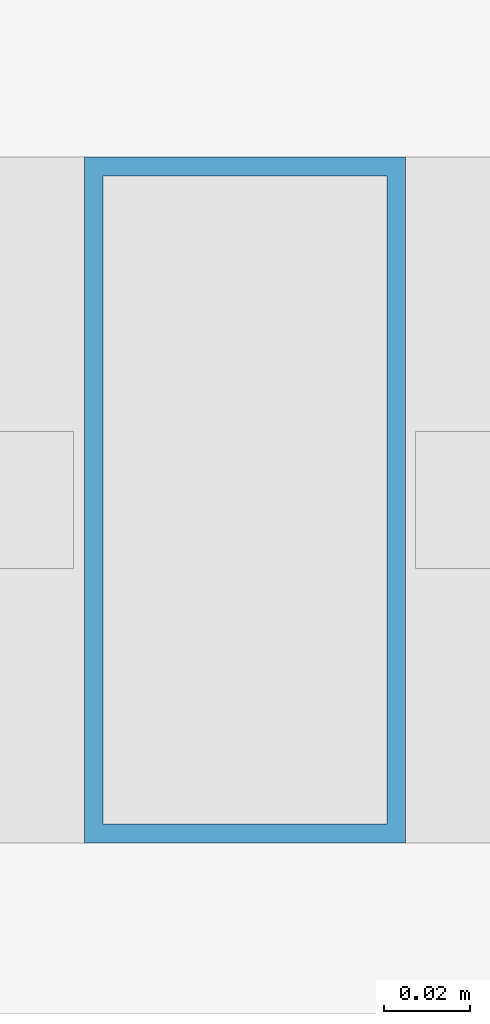
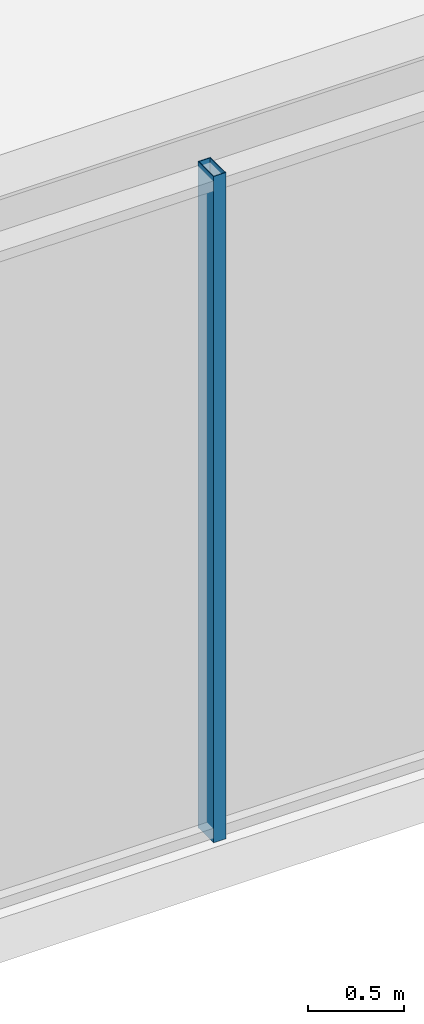
# One storey, part 4 of 47: 1 member, 1 element without a shape of its own.
"""IFC4 building model written with IfcOpenShell, lengths in metres."""

import ifcopenshell
import ifcopenshell.guid

model = None  # the IFC model being written
_history = None  # IfcOwnerHistory: only IFC2X3 demands one
_inside = {}  # id of a spatial element -> (the spatial element, [elements in it])
_under = {}  # id of a project, library or spatial element -> (it, [spatial elements below it])
_declared = {}  # id of a project -> (the project, [libraries it declares])
_typed = {}  # id of a type object -> (the type object, [elements of that type])
_made_of = {}  # id of a material, layer set ... -> (it, [elements and type objects made of it])


def new_model(schema):
    """Start an empty IFC model of exactly this schema.

    Asked for "IFC4X3", IfcOpenShell would pick the latest addendum, in which some entities
    have other attributes; the version numbers below select the first issue.
    IFC2X3 requires an IfcOwnerHistory on every rooted entity: one is made here for all.
    """
    global model, _history
    if schema == "IFC4X3":
        model = ifcopenshell.file(schema_version=(4, 3, 0, 0))
    else:
        model = ifcopenshell.file(schema=schema)
    _inside.clear()
    _under.clear()
    _declared.clear()
    _typed.clear()
    _made_of.clear()
    _history = None
    if model.schema == "IFC2X3":
        org = make("IfcOrganization", Name="unknown")
        user = make(
            "IfcPersonAndOrganization",
            ThePerson=make("IfcPerson", FamilyName="unknown"),
            TheOrganization=org,
        )
        app = make(
            "IfcApplication",
            ApplicationDeveloper=org,
            Version="unknown",
            ApplicationFullName="unknown",
            ApplicationIdentifier="unknown",
        )
        _history = make(
            "IfcOwnerHistory",
            OwningUser=user,
            OwningApplication=app,
            ChangeAction="ADDED",
            CreationDate=0,
        )
    return model


def make(cls, **values):
    """One entity of the class cls with the attributes given. An attribute that is None is left unset."""
    return model.create_entity(
        cls, **{name: value for name, value in values.items() if value is not None}
    )


def rooted(cls, **values):
    """An entity with a GlobalId (a new one), such as an element, a storey or a relation."""
    return make(cls, GlobalId=ifcopenshell.guid.new(), OwnerHistory=_history, **values)


def si_unit(unit_type, name, prefix=None):
    """IfcSIUnit, for example si_unit("LENGTHUNIT", "METRE", prefix="MILLI")."""
    return make("IfcSIUnit", UnitType=unit_type, Prefix=prefix, Name=name)


def assignment(units):
    """IfcUnitAssignment: the units of a project."""
    return None if units is None else make("IfcUnitAssignment", Units=units)


def point(xyz):
    """IfcCartesianPoint."""
    return None if xyz is None else make("IfcCartesianPoint", Coordinates=xyz)


def direction(xyz):
    """IfcDirection."""
    return None if xyz is None else make("IfcDirection", DirectionRatios=xyz)


def frame(location, z_axis=None, x_axis=None):
    """IfcAxis2Placement3D, a coordinate frame: its origin and axes. An axis left out is left unset."""
    return make(
        "IfcAxis2Placement3D",
        Location=point(location),
        Axis=direction(z_axis),
        RefDirection=direction(x_axis),
    )


def frame_2d(location, x_axis=None):
    """IfcAxis2Placement2D, a coordinate frame in the plane: its origin and x axis."""
    return make(
        "IfcAxis2Placement2D", Location=point(location), RefDirection=direction(x_axis)
    )


def origin():
    """The frame at (0, 0, 0) with its axes left unset."""
    return frame((0.0, 0.0, 0.0))


def origin_2d():
    """The frame at (0, 0) in the plane with its x axis left unset."""
    return frame_2d((0.0, 0.0))


def place(relative_to, where):
    """IfcLocalPlacement: puts the frame where relative to a parent placement (None: the world)."""
    return make(
        "IfcLocalPlacement", PlacementRelTo=relative_to, RelativePlacement=where
    )


def context(
    kind, dimensions, precision=None, world=None, true_north=None, identifier=None
):
    """IfcGeometricRepresentationContext, for example the 3D "Model" context."""
    return make(
        "IfcGeometricRepresentationContext",
        ContextIdentifier=identifier,
        ContextType=kind,
        CoordinateSpaceDimension=dimensions,
        Precision=precision,
        WorldCoordinateSystem=world,
        TrueNorth=true_north,
    )


def subcontext(parent, identifier, kind, view, scale=None):
    """IfcGeometricRepresentationSubContext, for example "Body" below "Model"."""
    return make(
        "IfcGeometricRepresentationSubContext",
        ContextIdentifier=identifier,
        ContextType=kind,
        ParentContext=parent,
        TargetScale=scale,
        TargetView=view,
    )


def project(units=None, contexts=None):
    """IfcProject with its units and contexts."""
    return rooted(
        "IfcProject",
        Name="project",
        RepresentationContexts=contexts,
        UnitsInContext=assignment(units),
    )


def spatial(cls, under=None, at=None, **own):
    """A site, building, storey or space (cls), placed at a placement, below another one or the project."""
    s = rooted(cls, ObjectPlacement=at, **own)
    if under is not None:
        _under.setdefault(under.id(), (under, []))[1].append(s)
    return s


def profile(cls, at=None, kind="AREA", **sizes):
    """A parametric profile (cls). Its sizes go by their IFC names, for example OverallWidth=200.0."""
    return make(cls, ProfileType=kind, Position=at, **sizes)


def hollow_rectangle(**sizes):
    """IfcRectangleHollowProfileDef."""
    return profile("IfcRectangleHollowProfileDef", **sizes)


def extrude(swept, where, along, depth):
    """IfcExtrudedAreaSolid: the profile swept, set in the frame where, extruded along a direction by depth."""
    return make(
        "IfcExtrudedAreaSolid",
        SweptArea=swept,
        Position=where,
        ExtrudedDirection=direction(along),
        Depth=depth,
    )


def shape(context_of_items, identifier, shape_type, items):
    """IfcShapeRepresentation: the items that make up one representation, for example the "Body"."""
    return make(
        "IfcShapeRepresentation",
        ContextOfItems=context_of_items,
        RepresentationIdentifier=identifier,
        RepresentationType=shape_type,
        Items=items,
    )


def material(Name=None, Category=None):
    """IfcMaterial."""
    return make("IfcMaterial", Name=Name, Category=Category)


def material_profile(
    of_material, cross_section, Name=None, Category=None, Priority=None
):
    """IfcMaterialProfile: a cross section and its material."""
    return make(
        "IfcMaterialProfile",
        Name=Name,
        Material=of_material,
        Profile=cross_section,
        Priority=Priority,
        Category=Category,
    )


def profile_set(profiles, Name=None, composite=None):
    """IfcMaterialProfileSet."""
    return make(
        "IfcMaterialProfileSet",
        Name=Name,
        MaterialProfiles=profiles,
        CompositeProfile=composite,
    )


def made_of(thing, what):
    """Note that an element or type object is made of a material, layer set ...; save() writes the relation."""
    if what is not None:
        _made_of.setdefault(what.id(), (what, []))[1].append(thing)
    return thing


def type_object(cls, material=None, **own):
    """A type object (cls), such as IfcWallType, which elements share."""
    return made_of(rooted(cls, **own), material)


def element(
    cls,
    number,
    at=None,
    inside=None,
    cuts=None,
    type_object=None,
    material=None,
    context=None,
    identifier="Body",
    shape_type=None,
    held_by="IfcProductDefinitionShape",
    body=None,
    shapes=None,
    **own,
):
    """One element of the class cls, such as IfcWall. Its Tag is "e" and its number.

    at: its placement. inside: the storey or other place that contains it. cuts: it is an
    opening in that element (IfcRelVoidsElement). A single representation is given by context,
    identifier, shape_type and body (its items); several are given by shapes. held_by: the class
    of the entity that holds the representations. save() writes the other relations.
    """
    e = rooted(cls, Tag="e%d" % number, ObjectPlacement=at, **own)
    if body is not None:
        shapes = [shape(context, identifier, shape_type, body)]
    if shapes is not None:
        e.Representation = make(held_by, Representations=shapes)
    if inside is not None:
        _inside.setdefault(inside.id(), (inside, []))[1].append(e)
    if cuts is not None:
        rooted(
            "IfcRelVoidsElement", RelatingBuildingElement=cuts, RelatedOpeningElement=e
        )
    if type_object is not None:
        _typed.setdefault(type_object.id(), (type_object, []))[1].append(e)
    return made_of(e, material)


def aggregate(whole, parts):
    """IfcRelAggregates: a whole, such as a stair, and the parts it consists of."""
    return rooted("IfcRelAggregates", RelatingObject=whole, RelatedObjects=parts)


def save(model, path):
    """Write the relations noted so far, then the file.

    IfcRelAggregates (storeys below a building ...), IfcRelContainedInSpatialStructure (elements
    in a storey), IfcRelDefinesByType, IfcRelAssociatesMaterial and IfcRelDeclares: one each for
    every whole, place, type object, material and project.
    """
    for whole, parts in _under.values():
        aggregate(whole, parts)
    for where, things in _inside.values():
        rooted(
            "IfcRelContainedInSpatialStructure",
            RelatedElements=things,
            RelatingStructure=where,
        )
    for kind, things in _typed.values():
        rooted("IfcRelDefinesByType", RelatedObjects=things, RelatingType=kind)
    for what, things in _made_of.values():
        rooted("IfcRelAssociatesMaterial", RelatedObjects=things, RelatingMaterial=what)
    for by, libraries in _declared.values():
        rooted("IfcRelDeclares", RelatingContext=by, RelatedDefinitions=libraries)
    model.write(path)


model = new_model("IFC4")

# Units and contexts
model_context = context("Model", 3, precision=1e-05, world=origin(), true_north=direction((0.0, 1.0)))
body_context = subcontext(model_context, "Body", "Model", "MODEL_VIEW")
ifc_project = project(units=[si_unit("LENGTHUNIT", "METRE"), si_unit("AREAUNIT", "SQUARE_METRE"), si_unit("VOLUMEUNIT", "CUBIC_METRE"), si_unit("PLANEANGLEUNIT", "RADIAN"), si_unit("MASSUNIT", "GRAM", prefix="KILO")], contexts=[model_context])

# Site, building, storey
site_placement = place(None, origin())
site = spatial("IfcSite", under=ifc_project, at=site_placement, CompositionType="ELEMENT")
building_placement = place(site_placement, origin())
building = spatial("IfcBuilding", under=site, at=building_placement, Name="Kolvaren Belvedere", CompositionType="ELEMENT")
storey_placement = place(building_placement, frame((0.0, 0.0, 5.5)))
storey = spatial("IfcBuildingStorey", under=building, at=storey_placement, Name="L02", CompositionType="ELEMENT", Elevation=5.5)

# Curtain wall, member
ifc_material_1 = material(Name="Anodised pale-metal aluminium AA 6063-T6", Category="aluminium")
curtain_wall_type = type_object("IfcCurtainWallType", Name="CW-POD-A", PredefinedType="NOTDEFINED", material=ifc_material_1)
curtain_wall_placement = place(storey_placement, origin())
curtain_wall = element("IfcCurtainWall", 1, at=curtain_wall_placement, inside=storey, type_object=curtain_wall_type, Name="L02 Unitised Curtain Wall FCW-L02-SEG1", PredefinedType="NOTDEFINED")
ifc_material_2 = material(Name="Anodised pale-metal aluminium AA 6063-T6", Category="aluminium")
ifc_material_profile = material_profile(ifc_material_2, hollow_rectangle(XDim=0.074951171875, YDim=0.159912109375, WallThickness=0.00439453125, at=origin_2d()), Name="ALU-MUL-160X75")
ifc_profile_set = profile_set([ifc_material_profile], Name="Anodised pale-metal aluminium AA 6063-T6")
member_type = type_object("IfcMemberType", Name="CW-MUL-160", PredefinedType="MULLION", material=ifc_profile_set)
member_placement = place(storey_placement, frame((-17.333251953125, -28.280029296875, 0.0), z_axis=(0.0, 0.0, 1.0), x_axis=(1.0, 0.0, 0.0)))
member = element("IfcMember", 2, at=member_placement, type_object=member_type, Name="FCW-L02-SEG1 Unitised Mullion 2", PredefinedType="MULLION", context=body_context, shape_type="SweptSolid", body=[
    extrude(hollow_rectangle(XDim=0.074951171875, YDim=0.159912109375, WallThickness=0.00439453125, at=origin_2d()), origin(), (0.0, 0.0, 1.0), 4.219970703125),
])
aggregate(curtain_wall, [member])

save(model, "model.ifc")
